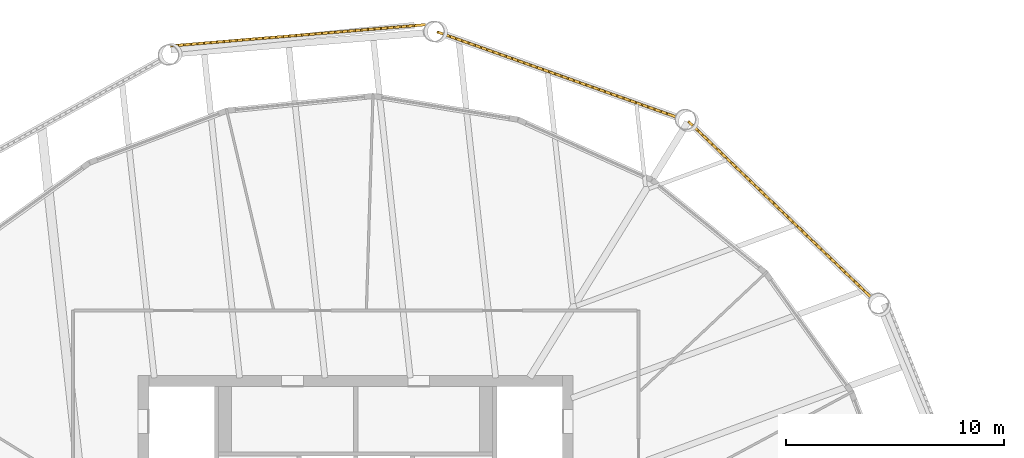
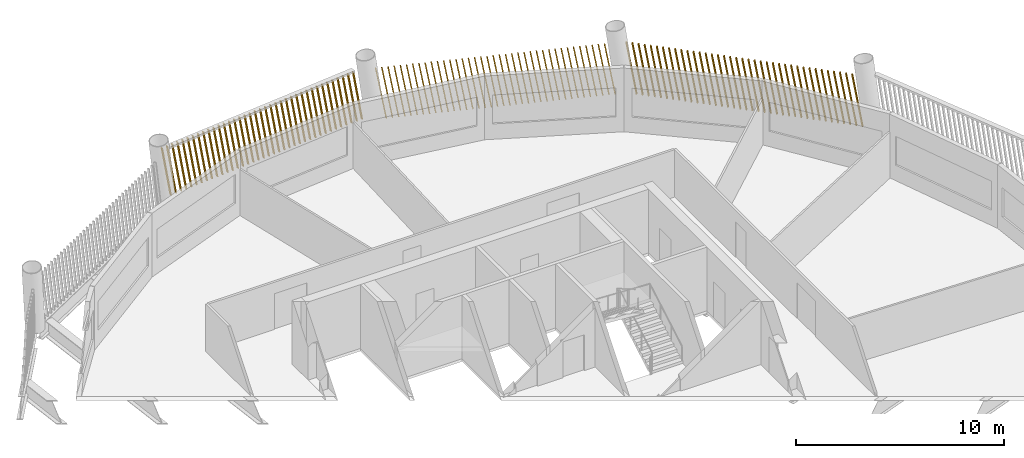
# One storey, part 13 of 14: 3 shading devices.
"""IFC4 building model written with IfcOpenShell, lengths in metres."""

from ifc_helpers import new_model, si_unit, direction, frame, frame_2d, origin, place, context, subcontext, project, spatial, rectangle, composite_profile, extrude, material, type_object, element, save


model = new_model("IFC4")

# Units and contexts
model_context = context("Model", 3, precision=1e-05, world=origin(), true_north=direction((0.0, 1.0)))
body_context = subcontext(model_context, "Body", "Model", "MODEL_VIEW")
ifc_project = project(units=[si_unit("LENGTHUNIT", "METRE"), si_unit("AREAUNIT", "SQUARE_METRE"), si_unit("VOLUMEUNIT", "CUBIC_METRE"), si_unit("PLANEANGLEUNIT", "RADIAN"), si_unit("MASSUNIT", "GRAM", prefix="KILO")], contexts=[model_context])

# Site, building, storey
site_placement = place(None, origin())
site = spatial("IfcSite", under=ifc_project, at=site_placement, CompositionType="ELEMENT")
building_placement = place(site_placement, origin())
building = spatial("IfcBuilding", under=site, at=building_placement, Name="Tarsis Ring Headquarters", CompositionType="ELEMENT")
storey_placement = place(building_placement, frame((0.0, 0.0, 311.89990234375)))
storey = spatial("IfcBuildingStorey", under=building, at=storey_placement, Name="L73", CompositionType="ELEMENT", Elevation=311.89990234375)

# Shading devices
ifc_material = material(Name="Terracotta baguette", Category="masonry")
shading_device_type = type_object("IfcShadingDeviceType", Name="Terracotta baguette screen", PredefinedType="USERDEFINED", material=ifc_material)
shading_device_1_placement = place(storey_placement, frame((23.751220703125, 16.547607421875, 0.0), z_axis=(0.0, 0.0, 1.0), x_axis=(-0.720173629951, 0.693781877374, 0.0)))
element("IfcShadingDevice", 1, at=shading_device_1_placement, inside=storey, type_object=shading_device_type, Name="Baguette screen L73-10", ObjectType="Terracotta baguette screen", PredefinedType="USERDEFINED", context=body_context, shape_type="SweptSolid", body=[
    extrude(composite_profile([rectangle(XDim=0.06005859375, YDim=0.1201171875, at=frame_2d((0.030029296875, 0.0))), rectangle(XDim=0.06005859375, YDim=0.1201171875, at=frame_2d((0.33251953125, 0.0))), rectangle(XDim=0.06005859375, YDim=0.1201171875, at=frame_2d((0.634765625, 0.0))), rectangle(XDim=0.06005859375, YDim=0.1201171875, at=frame_2d((0.937255859375, 0.0))), rectangle(XDim=0.06005859375, YDim=0.1201171875, at=frame_2d((1.239501953125, 0.0))), rectangle(XDim=0.06005859375, YDim=0.1201171875, at=frame_2d((1.5419921875, 0.0))), rectangle(XDim=0.06005859375, YDim=0.1201171875, at=frame_2d((1.844482421875, 0.0))), rectangle(XDim=0.06005859375, YDim=0.1201171875, at=frame_2d((2.146728515625, 0.0))), rectangle(XDim=0.06005859375, YDim=0.1201171875, at=frame_2d((2.44921875, 0.0))), rectangle(XDim=0.06005859375, YDim=0.1201171875, at=frame_2d((2.751708984375, 0.0))), rectangle(XDim=0.06005859375, YDim=0.1201171875, at=frame_2d((3.053955078125, 0.0))), rectangle(XDim=0.06005859375, YDim=0.1201171875, at=frame_2d((3.3564453125, 0.0))), rectangle(XDim=0.06005859375, YDim=0.1201171875, at=frame_2d((3.65869140625, 0.0))), rectangle(XDim=0.06005859375, YDim=0.1201171875, at=frame_2d((3.961181640625, 0.0))), rectangle(XDim=0.06005859375, YDim=0.1201171875, at=frame_2d((4.263671875, 0.0))), rectangle(XDim=0.06005859375, YDim=0.1201171875, at=frame_2d((4.56591796875, 0.0))), rectangle(XDim=0.06005859375, YDim=0.1201171875, at=frame_2d((4.868408203125, 0.0))), rectangle(XDim=0.06005859375, YDim=0.1201171875, at=frame_2d((5.1708984375, 0.0))), rectangle(XDim=0.06005859375, YDim=0.1201171875, at=frame_2d((5.47314453125, 0.0))), rectangle(XDim=0.06005859375, YDim=0.1201171875, at=frame_2d((5.775634765625, 0.0))), rectangle(XDim=0.06005859375, YDim=0.1201171875, at=frame_2d((6.077880859375, 0.0))), rectangle(XDim=0.06005859375, YDim=0.1201171875, at=frame_2d((6.38037109375, 0.0))), rectangle(XDim=0.06005859375, YDim=0.1201171875, at=frame_2d((6.682861328125, 0.0))), rectangle(XDim=0.06005859375, YDim=0.1201171875, at=frame_2d((6.985107421875, 0.0))), rectangle(XDim=0.06005859375, YDim=0.1201171875, at=frame_2d((7.28759765625, 0.0))), rectangle(XDim=0.06005859375, YDim=0.1201171875, at=frame_2d((7.590087890625, 0.0))), rectangle(XDim=0.06005859375, YDim=0.1201171875, at=frame_2d((7.892333984375, 0.0))), rectangle(XDim=0.06005859375, YDim=0.1201171875, at=frame_2d((8.19482421875, 0.0))), rectangle(XDim=0.06005859375, YDim=0.1201171875, at=frame_2d((8.4970703125, 0.0))), rectangle(XDim=0.06005859375, YDim=0.1201171875, at=frame_2d((8.799560546875, 0.0))), rectangle(XDim=0.06005859375, YDim=0.1201171875, at=frame_2d((9.10205078125, 0.0))), rectangle(XDim=0.06005859375, YDim=0.1201171875, at=frame_2d((9.404296875, 0.0))), rectangle(XDim=0.06005859375, YDim=0.1201171875, at=frame_2d((9.706787109375, 0.0))), rectangle(XDim=0.06005859375, YDim=0.1201171875, at=frame_2d((10.00927734375, 0.0))), rectangle(XDim=0.06005859375, YDim=0.1201171875, at=frame_2d((10.3115234375, 0.0))), rectangle(XDim=0.06005859375, YDim=0.1201171875, at=frame_2d((10.614013671875, 0.0))), rectangle(XDim=0.06005859375, YDim=0.1201171875, at=frame_2d((10.916259765625, 0.0))), rectangle(XDim=0.06005859375, YDim=0.1201171875, at=frame_2d((11.21875, 0.0)))]), origin(), (0.171086633911, 0.001551298424, 0.985254767646), 3.012451171875),
])
shading_device_2_placement = place(storey_placement, frame((14.819091796875, 24.866455078125, 0.0), z_axis=(0.0, 0.0, 1.0), x_axis=(-0.942137818774, 0.335257731959, 0.0)))
element("IfcShadingDevice", 2, at=shading_device_2_placement, inside=storey, type_object=shading_device_type, Name="Baguette screen L73-11", ObjectType="Terracotta baguette screen", PredefinedType="USERDEFINED", context=body_context, shape_type="SweptSolid", body=[
    extrude(composite_profile([rectangle(XDim=0.06005859375, YDim=0.1201171875, at=frame_2d((0.030029296875, 0.0))), rectangle(XDim=0.06005859375, YDim=0.1201171875, at=frame_2d((0.33251953125, 0.0))), rectangle(XDim=0.06005859375, YDim=0.1201171875, at=frame_2d((0.634765625, 0.0))), rectangle(XDim=0.06005859375, YDim=0.1201171875, at=frame_2d((0.937255859375, 0.0))), rectangle(XDim=0.06005859375, YDim=0.1201171875, at=frame_2d((1.239501953125, 0.0))), rectangle(XDim=0.06005859375, YDim=0.1201171875, at=frame_2d((1.5419921875, 0.0))), rectangle(XDim=0.06005859375, YDim=0.1201171875, at=frame_2d((1.844482421875, 0.0))), rectangle(XDim=0.06005859375, YDim=0.1201171875, at=frame_2d((2.146728515625, 0.0))), rectangle(XDim=0.06005859375, YDim=0.1201171875, at=frame_2d((2.44921875, 0.0))), rectangle(XDim=0.06005859375, YDim=0.1201171875, at=frame_2d((2.751708984375, 0.0))), rectangle(XDim=0.06005859375, YDim=0.1201171875, at=frame_2d((3.053955078125, 0.0))), rectangle(XDim=0.06005859375, YDim=0.1201171875, at=frame_2d((3.3564453125, 0.0))), rectangle(XDim=0.06005859375, YDim=0.1201171875, at=frame_2d((3.65869140625, 0.0))), rectangle(XDim=0.06005859375, YDim=0.1201171875, at=frame_2d((3.961181640625, 0.0))), rectangle(XDim=0.06005859375, YDim=0.1201171875, at=frame_2d((4.263671875, 0.0))), rectangle(XDim=0.06005859375, YDim=0.1201171875, at=frame_2d((4.56591796875, 0.0))), rectangle(XDim=0.06005859375, YDim=0.1201171875, at=frame_2d((4.868408203125, 0.0))), rectangle(XDim=0.06005859375, YDim=0.1201171875, at=frame_2d((5.1708984375, 0.0))), rectangle(XDim=0.06005859375, YDim=0.1201171875, at=frame_2d((5.47314453125, 0.0))), rectangle(XDim=0.06005859375, YDim=0.1201171875, at=frame_2d((5.775634765625, 0.0))), rectangle(XDim=0.06005859375, YDim=0.1201171875, at=frame_2d((6.077880859375, 0.0))), rectangle(XDim=0.06005859375, YDim=0.1201171875, at=frame_2d((6.38037109375, 0.0))), rectangle(XDim=0.06005859375, YDim=0.1201171875, at=frame_2d((6.682861328125, 0.0))), rectangle(XDim=0.06005859375, YDim=0.1201171875, at=frame_2d((6.985107421875, 0.0))), rectangle(XDim=0.06005859375, YDim=0.1201171875, at=frame_2d((7.28759765625, 0.0))), rectangle(XDim=0.06005859375, YDim=0.1201171875, at=frame_2d((7.590087890625, 0.0))), rectangle(XDim=0.06005859375, YDim=0.1201171875, at=frame_2d((7.892333984375, 0.0))), rectangle(XDim=0.06005859375, YDim=0.1201171875, at=frame_2d((8.19482421875, 0.0))), rectangle(XDim=0.06005859375, YDim=0.1201171875, at=frame_2d((8.4970703125, 0.0))), rectangle(XDim=0.06005859375, YDim=0.1201171875, at=frame_2d((8.799560546875, 0.0))), rectangle(XDim=0.06005859375, YDim=0.1201171875, at=frame_2d((9.10205078125, 0.0))), rectangle(XDim=0.06005859375, YDim=0.1201171875, at=frame_2d((9.404296875, 0.0))), rectangle(XDim=0.06005859375, YDim=0.1201171875, at=frame_2d((9.706787109375, 0.0))), rectangle(XDim=0.06005859375, YDim=0.1201171875, at=frame_2d((10.00927734375, 0.0))), rectangle(XDim=0.06005859375, YDim=0.1201171875, at=frame_2d((10.3115234375, 0.0))), rectangle(XDim=0.06005859375, YDim=0.1201171875, at=frame_2d((10.614013671875, 0.0))), rectangle(XDim=0.06005859375, YDim=0.1201171875, at=frame_2d((10.916259765625, 0.0))), rectangle(XDim=0.06005859375, YDim=0.1201171875, at=frame_2d((11.21875, 0.0)))]), origin(), (0.171089835289, 0.001550462712, 0.985254213047), 3.012451171875),
])
shading_device_3_placement = place(storey_placement, frame((3.220703125, 29.1376953125, 0.0), z_axis=(0.0, 0.0, 1.0), x_axis=(-0.996570808464, -0.082864894194, 0.0)))
element("IfcShadingDevice", 3, at=shading_device_3_placement, inside=storey, type_object=shading_device_type, Name="Baguette screen L73-12", ObjectType="Terracotta baguette screen", PredefinedType="USERDEFINED", context=body_context, shape_type="SweptSolid", body=[
    extrude(composite_profile([rectangle(XDim=0.06005859375, YDim=0.1201171875, at=frame_2d((0.030029296875, 0.0))), rectangle(XDim=0.06005859375, YDim=0.1201171875, at=frame_2d((0.33251953125, 0.0))), rectangle(XDim=0.06005859375, YDim=0.1201171875, at=frame_2d((0.634765625, 0.0))), rectangle(XDim=0.06005859375, YDim=0.1201171875, at=frame_2d((0.937255859375, 0.0))), rectangle(XDim=0.06005859375, YDim=0.1201171875, at=frame_2d((1.239501953125, 0.0))), rectangle(XDim=0.06005859375, YDim=0.1201171875, at=frame_2d((1.5419921875, 0.0))), rectangle(XDim=0.06005859375, YDim=0.1201171875, at=frame_2d((1.844482421875, 0.0))), rectangle(XDim=0.06005859375, YDim=0.1201171875, at=frame_2d((2.146728515625, 0.0))), rectangle(XDim=0.06005859375, YDim=0.1201171875, at=frame_2d((2.44921875, 0.0))), rectangle(XDim=0.06005859375, YDim=0.1201171875, at=frame_2d((2.751708984375, 0.0))), rectangle(XDim=0.06005859375, YDim=0.1201171875, at=frame_2d((3.053955078125, 0.0))), rectangle(XDim=0.06005859375, YDim=0.1201171875, at=frame_2d((3.3564453125, 0.0))), rectangle(XDim=0.06005859375, YDim=0.1201171875, at=frame_2d((3.65869140625, 0.0))), rectangle(XDim=0.06005859375, YDim=0.1201171875, at=frame_2d((3.961181640625, 0.0))), rectangle(XDim=0.06005859375, YDim=0.1201171875, at=frame_2d((4.263671875, 0.0))), rectangle(XDim=0.06005859375, YDim=0.1201171875, at=frame_2d((4.56591796875, 0.0))), rectangle(XDim=0.06005859375, YDim=0.1201171875, at=frame_2d((4.868408203125, 0.0))), rectangle(XDim=0.06005859375, YDim=0.1201171875, at=frame_2d((5.1708984375, 0.0))), rectangle(XDim=0.06005859375, YDim=0.1201171875, at=frame_2d((5.47314453125, 0.0))), rectangle(XDim=0.06005859375, YDim=0.1201171875, at=frame_2d((5.775634765625, 0.0))), rectangle(XDim=0.06005859375, YDim=0.1201171875, at=frame_2d((6.077880859375, 0.0))), rectangle(XDim=0.06005859375, YDim=0.1201171875, at=frame_2d((6.38037109375, 0.0))), rectangle(XDim=0.06005859375, YDim=0.1201171875, at=frame_2d((6.682861328125, 0.0))), rectangle(XDim=0.06005859375, YDim=0.1201171875, at=frame_2d((6.985107421875, 0.0))), rectangle(XDim=0.06005859375, YDim=0.1201171875, at=frame_2d((7.28759765625, 0.0))), rectangle(XDim=0.06005859375, YDim=0.1201171875, at=frame_2d((7.590087890625, 0.0))), rectangle(XDim=0.06005859375, YDim=0.1201171875, at=frame_2d((7.892333984375, 0.0))), rectangle(XDim=0.06005859375, YDim=0.1201171875, at=frame_2d((8.19482421875, 0.0))), rectangle(XDim=0.06005859375, YDim=0.1201171875, at=frame_2d((8.4970703125, 0.0))), rectangle(XDim=0.06005859375, YDim=0.1201171875, at=frame_2d((8.799560546875, 0.0))), rectangle(XDim=0.06005859375, YDim=0.1201171875, at=frame_2d((9.10205078125, 0.0))), rectangle(XDim=0.06005859375, YDim=0.1201171875, at=frame_2d((9.404296875, 0.0))), rectangle(XDim=0.06005859375, YDim=0.1201171875, at=frame_2d((9.706787109375, 0.0))), rectangle(XDim=0.06005859375, YDim=0.1201171875, at=frame_2d((10.00927734375, 0.0))), rectangle(XDim=0.06005859375, YDim=0.1201171875, at=frame_2d((10.3115234375, 0.0))), rectangle(XDim=0.06005859375, YDim=0.1201171875, at=frame_2d((10.614013671875, 0.0))), rectangle(XDim=0.06005859375, YDim=0.1201171875, at=frame_2d((10.916259765625, 0.0))), rectangle(XDim=0.06005859375, YDim=0.1201171875, at=frame_2d((11.21875, 0.0)))]), origin(), (0.173281602209, 0.001574162216, 0.984871061789), 3.013671875),
])

save(model, "model.ifc")
